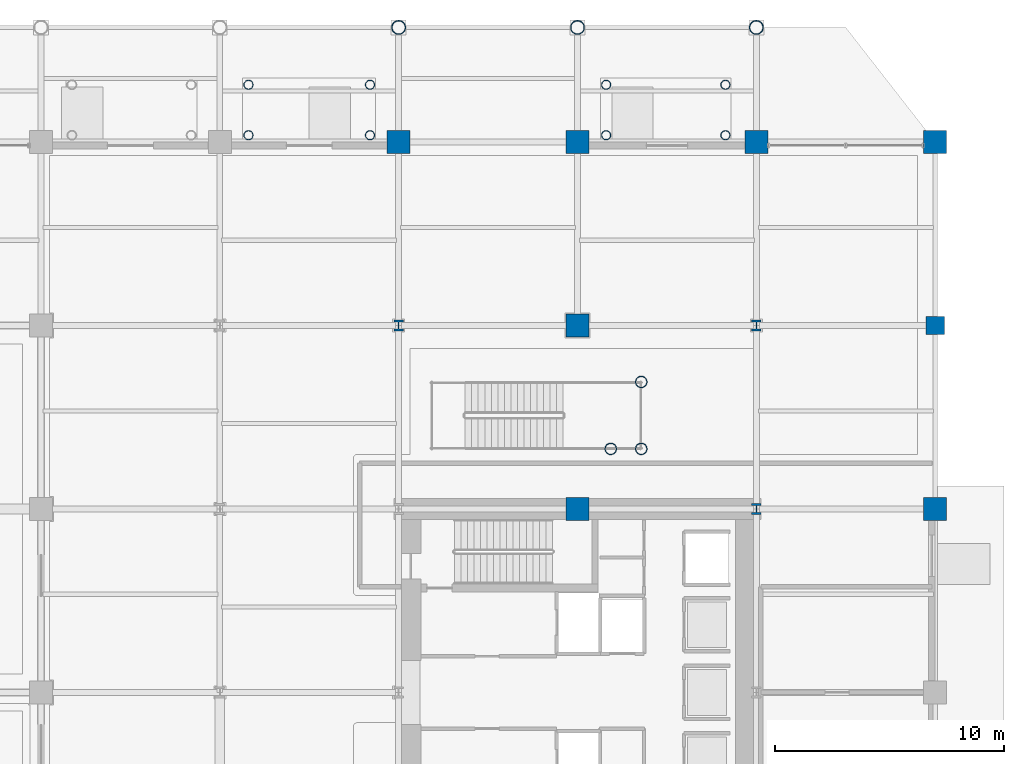
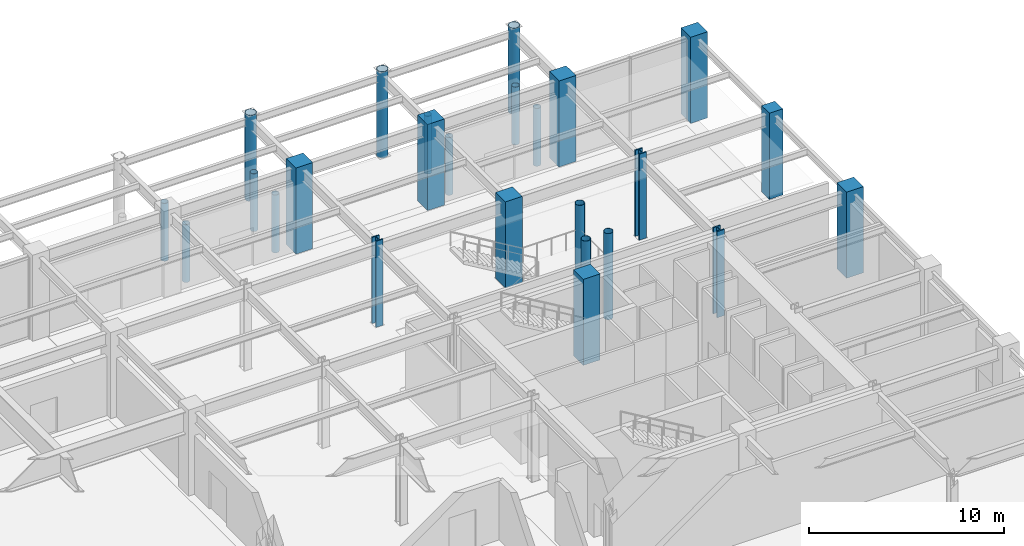
# One storey, part 5 of 27: 25 columns.
"""IFC4 building model written with IfcOpenShell, lengths in metres."""

from ifc_helpers import new_model, si_unit, direction, frame, origin, origin_2d, place, context, subcontext, project, spatial, rectangle, hollow_circle, i_section, extrude, material, material_profile, profile_set, type_object, element, save


model = new_model("IFC4")

# Units and contexts
model_context = context("Model", 3, precision=1e-05, world=origin(), true_north=direction((0.0, 1.0)))
body_context = subcontext(model_context, "Body", "Model", "MODEL_VIEW")
ifc_project = project(units=[si_unit("LENGTHUNIT", "METRE"), si_unit("AREAUNIT", "SQUARE_METRE"), si_unit("VOLUMEUNIT", "CUBIC_METRE"), si_unit("PLANEANGLEUNIT", "RADIAN"), si_unit("MASSUNIT", "GRAM", prefix="KILO")], contexts=[model_context])

# Site, building, storey
site_placement = place(None, origin())
site = spatial("IfcSite", under=ifc_project, at=site_placement, CompositionType="ELEMENT")
building_placement = place(site_placement, origin())
building = spatial("IfcBuilding", under=site, at=building_placement, Name="Veymaron Broadcast Tower", CompositionType="ELEMENT")
storey_placement = place(building_placement, origin())
storey = spatial("IfcBuildingStorey", under=building, at=storey_placement, Name="L00", CompositionType="ELEMENT", Elevation=0.0)

# Columns
ifc_material_1 = material(Name="Structural steel ASTM A913 Gr 65", Category="steel")
ifc_material_profile_1 = material_profile(ifc_material_1, i_section(OverallWidth=0.424072265625, OverallDepth=0.47412109375, WebThickness=0.047607421875, FlangeThickness=0.076904296875, at=origin_2d()), Name="W360X634")
ifc_profile_set_1 = profile_set([ifc_material_profile_1], Name="Structural steel ASTM A913 Gr 65")
column_type_1 = type_object("IfcColumnType", Name="COL-MC1", PredefinedType="COLUMN", material=ifc_profile_set_1)
for number, where, z_axis, x_axis, name in (
    (1, (39.0, 40.0, 0.0), (0.0, 0.0, 1.0), (1.0, 0.0, 0.0), "L00 column (39.0, 40.0)"),
    (2, (54.60009765625, 32.0, 0.0), (0.0, 0.0, 1.0), (1.0, 0.0, 0.0), "L00 column (54.6, 32.0)"),
    (3, (54.60009765625, 40.0, 0.0), (0.0, 0.0, 1.0), (1.0, 0.0, 0.0), "L00 column (54.6, 40.0)"),
):
    element("IfcColumn", number, at=place(storey_placement, frame(where, z_axis=z_axis, x_axis=x_axis)), inside=storey, type_object=column_type_1, Name=name, PredefinedType="COLUMN", context=body_context, shape_type="SweptSolid", body=[
        extrude(i_section(OverallWidth=0.424072265625, OverallDepth=0.47412109375, WebThickness=0.047607421875, FlangeThickness=0.076904296875, at=origin_2d()), origin(), (0.0, 0.0, 1.0), 5.39501953125),
    ])
ifc_material_2 = material(Name="Structural steel ASTM A992 Gr 50", Category="steel")
ifc_material_profile_2 = material_profile(ifc_material_2, hollow_circle(Radius=0.304931640625, WallThickness=0.02490234375, at=origin_2d()), Name="CHS610X25")
ifc_profile_set_2 = profile_set([ifc_material_profile_2], Name="Structural steel ASTM A992 Gr 50")
column_type_2 = type_object("IfcColumnType", Name="COL-PL1", PredefinedType="COLUMN", material=ifc_profile_set_2)
for number, where, z_axis, x_axis, name in (
    (4, (39.0, 53.0, 0.0), (0.0, 0.0, 1.0), (1.0, 0.0, 0.0), "L00 column (39.0, 53.0)"),
    (5, (46.800048828125, 53.0, 0.0), (0.0, 0.0, 1.0), (1.0, 0.0, 0.0), "L00 column (46.8, 53.0)"),
    (6, (54.60009765625, 53.0, 0.0), (0.0, 0.0, 1.0), (1.0, 0.0, 0.0), "L00 column (54.6, 53.0)"),
):
    element("IfcColumn", number, at=place(storey_placement, frame(where, z_axis=z_axis, x_axis=x_axis)), inside=storey, type_object=column_type_2, Name=name, PredefinedType="COLUMN", context=body_context, shape_type="SweptSolid", body=[
        extrude(hollow_circle(Radius=0.304931640625, WallThickness=0.02490234375, at=origin_2d()), origin(), (0.0, 0.0, 1.0), 5.39501953125),
    ])
ifc_material_profile_3 = material_profile(ifc_material_2, hollow_circle(Radius=0.25390625, WallThickness=0.02001953125, at=origin_2d()), Name="CHS508X20")
ifc_profile_set_3 = profile_set([ifc_material_profile_3], Name="Structural steel ASTM A992 Gr 50")
column_type_3 = type_object("IfcColumnType", Name="COL-PL2", PredefinedType="COLUMN", material=ifc_profile_set_3)
for number, where, z_axis, x_axis, name in (
    (7, (48.25, 34.6201171875, 0.0), (0.0, 0.0, 1.0), (1.0, 0.0, 0.0), "L00 feature stair support column"),
    (8, (49.580078125, 34.6201171875, 0.0), (0.0, 0.0, 1.0), (1.0, 0.0, 0.0), "L00 feature stair support column"),
    (9, (49.580078125, 37.5400390625, 0.0), (0.0, 0.0, 1.0), (1.0, 0.0, 0.0), "L00 feature stair support column"),
):
    element("IfcColumn", number, at=place(storey_placement, frame(where, z_axis=z_axis, x_axis=x_axis)), inside=storey, type_object=column_type_3, Name=name, PredefinedType="COLUMN", context=body_context, shape_type="SweptSolid", body=[
        extrude(hollow_circle(Radius=0.25390625, WallThickness=0.02001953125, at=origin_2d()), origin(), (0.0, 0.0, 1.0), 5.39404296875),
    ])
ifc_material_profile_4 = material_profile(ifc_material_2, hollow_circle(Radius=0.202880859375, WallThickness=0.01611328125, at=origin_2d()), Name="CHS406X16")
ifc_profile_set_4 = profile_set([ifc_material_profile_4], Name="Structural steel ASTM A992 Gr 50")
column_type_4 = type_object("IfcColumnType", Name="COL-PL3", PredefinedType="PILASTER", material=ifc_profile_set_4)
for number, where, z_axis, x_axis, name in (
    (10, (32.449951171875, 50.5, 0.0), (0.0, 0.0, 1.0), (1.0, 0.0, 0.0), "Waterfront entrance canopy B support post 1"),
    (11, (37.75, 50.5, 0.0), (0.0, 0.0, 1.0), (1.0, 0.0, 0.0), "Waterfront entrance canopy B support post 2"),
    (12, (32.449951171875, 48.300048828125, 0.0), (0.0, 0.0, 1.0), (1.0, 0.0, 0.0), "Waterfront entrance canopy B support post 3"),
    (13, (37.75, 48.300048828125, 0.0), (0.0, 0.0, 1.0), (1.0, 0.0, 0.0), "Waterfront entrance canopy B support post 4"),
    (14, (48.050048828125, 50.5, 0.0), (0.0, 0.0, 1.0), (1.0, 0.0, 0.0), "East promenade exit canopy C support post 1"),
    (15, (53.25, 50.5, 0.0), (0.0, 0.0, 1.0), (1.0, 0.0, 0.0), "East promenade exit canopy C support post 2"),
    (16, (48.050048828125, 48.300048828125, 0.0), (0.0, 0.0, 1.0), (1.0, 0.0, 0.0), "East promenade exit canopy C support post 3"),
    (17, (53.25, 48.300048828125, 0.0), (0.0, 0.0, 1.0), (1.0, 0.0, 0.0), "East promenade exit canopy C support post 4"),
):
    element("IfcColumn", number, at=place(storey_placement, frame(where, z_axis=z_axis, x_axis=x_axis)), inside=storey, type_object=column_type_4, Name=name, PredefinedType="PILASTER", context=body_context, shape_type="SweptSolid", body=[
        extrude(hollow_circle(Radius=0.202880859375, WallThickness=0.01611328125, at=origin_2d()), origin(), (0.0, 0.0, 1.0), 3.6201171875),
    ])
ifc_material_3 = material(Name="Concrete C60/75", Category="concrete")
ifc_material_profile_5 = material_profile(ifc_material_3, rectangle(XDim=1.0, YDim=1.0, at=origin_2d()), Name="RC1000X1000")
ifc_profile_set_5 = profile_set([ifc_material_profile_5], Name="Concrete C60/75")
column_type_5 = type_object("IfcColumnType", Name="COL-RC3", PredefinedType="COLUMN", material=ifc_profile_set_5)
for number, where, z_axis, x_axis, name in (
    (18, (39.0, 48.0, 0.0), (0.0, 0.0, 1.0), (1.0, 0.0, 0.0), "L00 column (39.0, 48.0)"),
    (19, (46.800048828125, 32.0, 0.0), (0.0, 0.0, 1.0), (1.0, 0.0, 0.0), "L00 column (46.8, 32.0)"),
    (20, (46.800048828125, 40.0, 0.0), (0.0, 0.0, 1.0), (1.0, 0.0, 0.0), "L00 column (46.8, 40.0)"),
    (21, (46.800048828125, 48.0, 0.0), (0.0, 0.0, 1.0), (1.0, 0.0, 0.0), "L00 column (46.8, 48.0)"),
    (22, (54.60009765625, 48.0, 0.0), (0.0, 0.0, 1.0), (1.0, 0.0, 0.0), "L00 column (54.6, 48.0)"),
    (23, (62.39990234375, 32.0, 0.0), (0.0, 0.0, 1.0), (1.0, 0.0, 0.0), "L00 column (62.4, 32.0)"),
    (24, (62.39990234375, 48.0, 0.0), (0.0, 0.0, 1.0), (1.0, 0.0, 0.0), "L00 column (62.4, 48.0)"),
):
    element("IfcColumn", number, at=place(storey_placement, frame(where, z_axis=z_axis, x_axis=x_axis)), inside=storey, type_object=column_type_5, Name=name, PredefinedType="COLUMN", context=body_context, shape_type="SweptSolid", body=[
        extrude(rectangle(XDim=1.0, YDim=1.0, at=origin_2d()), origin(), (0.0, 0.0, 1.0), 5.39501953125),
    ])
ifc_material_4 = material(Name="Concrete C50/60", Category="concrete")
ifc_material_profile_6 = material_profile(ifc_material_4, rectangle(XDim=0.800048828125, YDim=0.800048828125, at=origin_2d()), Name="RC800X800")
ifc_profile_set_6 = profile_set([ifc_material_profile_6], Name="Concrete C50/60")
column_type_6 = type_object("IfcColumnType", Name="COL-RC5", PredefinedType="COLUMN", material=ifc_profile_set_6)
column_placement = place(storey_placement, frame((62.39990234375, 40.0, 0.0), z_axis=(0.0, 0.0, 1.0), x_axis=(1.0, 0.0, 0.0)))
element("IfcColumn", 25, at=column_placement, inside=storey, type_object=column_type_6, Name="L00 column (62.4, 40.0)", PredefinedType="COLUMN", context=body_context, shape_type="SweptSolid", body=[
    extrude(rectangle(XDim=0.800048828125, YDim=0.800048828125, at=origin_2d()), origin(), (0.0, 0.0, 1.0), 5.39501953125),
])

save(model, "model.ifc")
